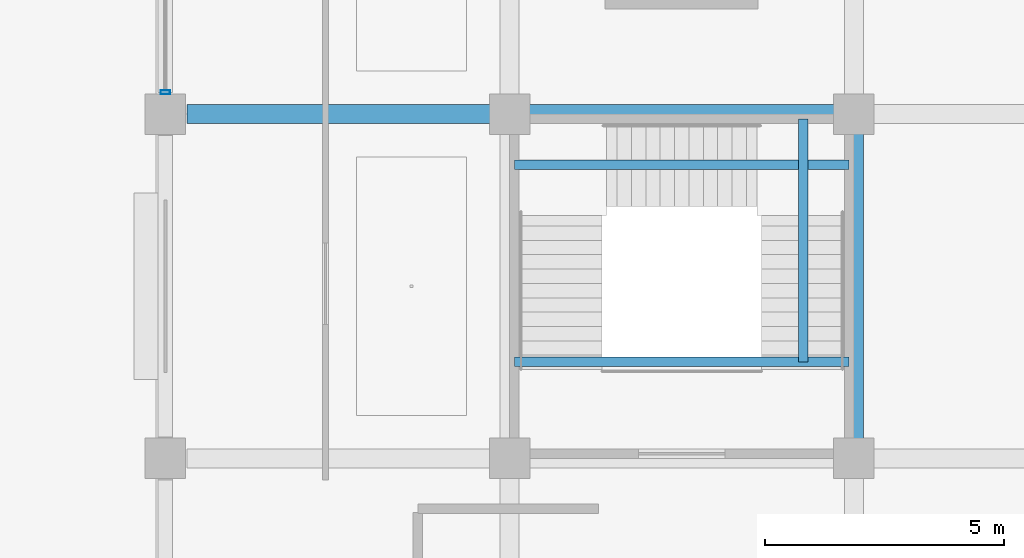
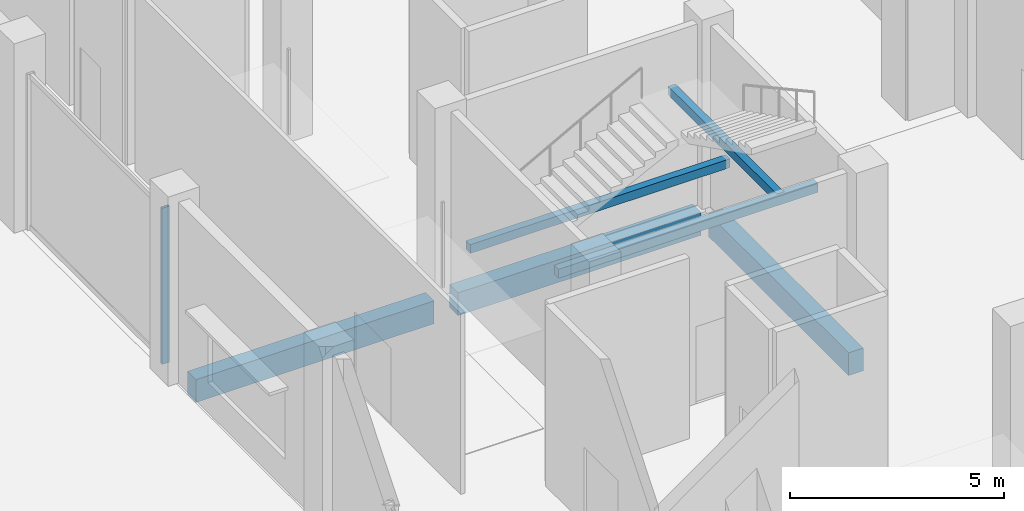
# One storey, part 41 of 90: 6 beams, 1 member, 1 element without a shape of its own.
"""IFC4 building model written with IfcOpenShell, lengths in metres."""

from ifc_helpers import new_model, si_unit, direction, frame, origin, origin_2d, place, context, subcontext, project, spatial, rectangle, hollow_rectangle, extrude, material, layer, layer_set, material_profile, profile_set, type_object, element, aggregate, save


model = new_model("IFC4")

# Units and contexts
model_context = context("Model", 3, precision=1e-05, world=origin(), true_north=direction((0.0, 1.0)))
body_context = subcontext(model_context, "Body", "Model", "MODEL_VIEW")
ifc_project = project(units=[si_unit("LENGTHUNIT", "METRE"), si_unit("AREAUNIT", "SQUARE_METRE"), si_unit("VOLUMEUNIT", "CUBIC_METRE"), si_unit("PLANEANGLEUNIT", "RADIAN"), si_unit("MASSUNIT", "GRAM", prefix="KILO")], contexts=[model_context])

# Site, building, storey
site_placement = place(None, origin())
site = spatial("IfcSite", under=ifc_project, at=site_placement, CompositionType="ELEMENT")
building_placement = place(site_placement, origin())
building = spatial("IfcBuilding", under=site, at=building_placement, Name="Kangsadwip Square Police Headquarters", CompositionType="ELEMENT")
storey_placement = place(building_placement, origin())
storey = spatial("IfcBuildingStorey", under=building, at=storey_placement, Name="L00", CompositionType="ELEMENT", Elevation=0.0)

# Curtain wall, member
ifc_material_1 = material(Name="Thermally broken anodised aluminium AW-6063-T6", Category="aluminium")
ifc_layer = layer(ifc_material_1, 0.159912109375)
ifc_layer_set = layer_set([ifc_layer], Name="Thermally broken anodised aluminium AW-6063-T6")
curtain_wall_type = type_object("IfcCurtainWallType", Name="CourtScreen6360x4450", PredefinedType="USERDEFINED", material=ifc_layer_set)
curtain_wall_placement = place(storey_placement, origin())
curtain_wall = element("IfcCurtainWall", 1, at=curtain_wall_placement, inside=storey, type_object=curtain_wall_type, Name="Curtain Wall CW-L00-1440-0652", ObjectType="GLAZED_SCREEN", PredefinedType="USERDEFINED")
ifc_material_2 = material(Name="Thermally broken anodised aluminium AW-6063-T6", Category="aluminium")
ifc_material_profile_1 = material_profile(ifc_material_2, hollow_rectangle(XDim=0.074951171875, YDim=0.199951171875, WallThickness=0.0048828125, at=origin_2d()), Name="CWM 200X75X5")
ifc_profile_set_1 = profile_set([ifc_material_profile_1], Name="Thermally broken anodised aluminium AW-6063-T6")
member_type = type_object("IfcMemberType", Name="CwMullion180x75", PredefinedType="MULLION", material=ifc_profile_set_1)
member_placement = place(storey_placement, frame((144.0, 65.257568359375, 0.0), z_axis=(0.0, 0.0, 1.0), x_axis=(0.0, 1.0, 0.0)))
member = element("IfcMember", 2, at=member_placement, type_object=member_type, Name="CW-15 mullion 1", PredefinedType="MULLION", context=body_context, shape_type="SweptSolid", body=[
    extrude(hollow_rectangle(XDim=0.074951171875, YDim=0.199951171875, WallThickness=0.0048828125, at=origin_2d()), origin(), (0.0, 0.0, 1.0), 4.449951171875),
])
aggregate(curtain_wall, [member])

# Beams
ifc_material_3 = material(Name="Concrete M35 (35 MPa)", Category="concrete")
ifc_material_profile_2 = material_profile(ifc_material_3, rectangle(XDim=0.39990234375, YDim=0.64990234375, at=origin_2d()), Name="RC BM 650X400")
ifc_profile_set_2 = profile_set([ifc_material_profile_2], Name="Concrete M35 (35 MPa)")
beam_type_1 = type_object("IfcBeamType", Name="RcBeam650x400", PredefinedType="BEAM", material=ifc_profile_set_2)
beam_1_placement = place(storey_placement, frame((144.449951171875, 64.800048828125, -0.574951171875), z_axis=(1.0, 0.0, 0.0), x_axis=(0.0, 1.0, 0.0)))
element("IfcBeam", 3, at=beam_1_placement, inside=storey, type_object=beam_type_1, Name="Beam BM-L00-X-20-09", PredefinedType="BEAM", context=body_context, shape_type="SweptSolid", body=[
    extrude(rectangle(XDim=0.39990234375, YDim=0.64990234375, at=origin_2d()), origin(), (0.0, 0.0, 1.0), 6.425048828125),
])
for number, where, z_axis, x_axis, name in (
    (4, (151.52490234375, 64.800048828125, -0.574951171875), (1.0, 0.0, 0.0), (0.0, 1.0, 0.0), "Beam BM-L00-X-21-09"),
    (5, (158.39990234375, 57.925048828125, -0.574951171875), (0.0, 1.0, 0.0), (-1.0, 0.0, 0.0), "Beam BM-L00-Y-22-08"),
):
    element("IfcBeam", number, at=place(storey_placement, frame(where, z_axis=z_axis, x_axis=x_axis)), inside=storey, type_object=beam_type_1, Name=name, PredefinedType="BEAM", context=body_context, shape_type="SweptSolid", body=[
        extrude(rectangle(XDim=0.39990234375, YDim=0.64990234375, at=origin_2d()), origin(), (0.0, 0.0, 1.0), 6.550048828125),
    ])
ifc_material_4 = material(Name="Concrete M30 (30 MPa)", Category="concrete")
ifc_material_profile_3 = material_profile(ifc_material_4, rectangle(XDim=0.199951171875, YDim=0.25, at=origin_2d()), Name="RC LNT 250X200")
ifc_profile_set_3 = profile_set([ifc_material_profile_3], Name="Concrete M30 (30 MPa)")
beam_type_2 = type_object("IfcBeamType", Name="RcLintel250x200", PredefinedType="LINTEL", material=ifc_profile_set_3)
for number, where, z_axis, x_axis, name in (
    (6, (151.300048828125, 63.7451171875, 1.655029296875), (1.0, 0.0, 0.0), (0.0, 1.0, 0.0), "Stair Carriage and Landing Beam BM-ST-L00-041"),
    (7, (151.300048828125, 59.6201171875, 3.455078125), (1.0, 0.0, 0.0), (0.0, 1.0, 0.0), "Stair Carriage and Landing Beam BM-ST-L00-042"),
):
    element("IfcBeam", number, at=place(storey_placement, frame(where, z_axis=z_axis, x_axis=x_axis)), inside=storey, type_object=beam_type_2, Name=name, PredefinedType="BEAM", context=body_context, shape_type="SweptSolid", body=[
        extrude(rectangle(XDim=0.199951171875, YDim=0.25, at=origin_2d()), origin(), (0.0, 0.0, 1.0), 7.0),
    ])
beam_2_placement = place(storey_placement, frame((157.344970703125, 59.6201171875, 3.455078125), z_axis=(0.0, 1.0, 0.0), x_axis=(-1.0, 0.0, 0.0)))
element("IfcBeam", 8, at=beam_2_placement, inside=storey, type_object=beam_type_2, Name="Stair Carriage and Landing Beam BM-ST-L00-043", PredefinedType="BEAM", context=body_context, shape_type="SweptSolid", body=[
    extrude(rectangle(XDim=0.199951171875, YDim=0.25, at=origin_2d()), origin(), (0.0, 0.0, 1.0), 5.079833984375),
])

save(model, "model.ifc")
